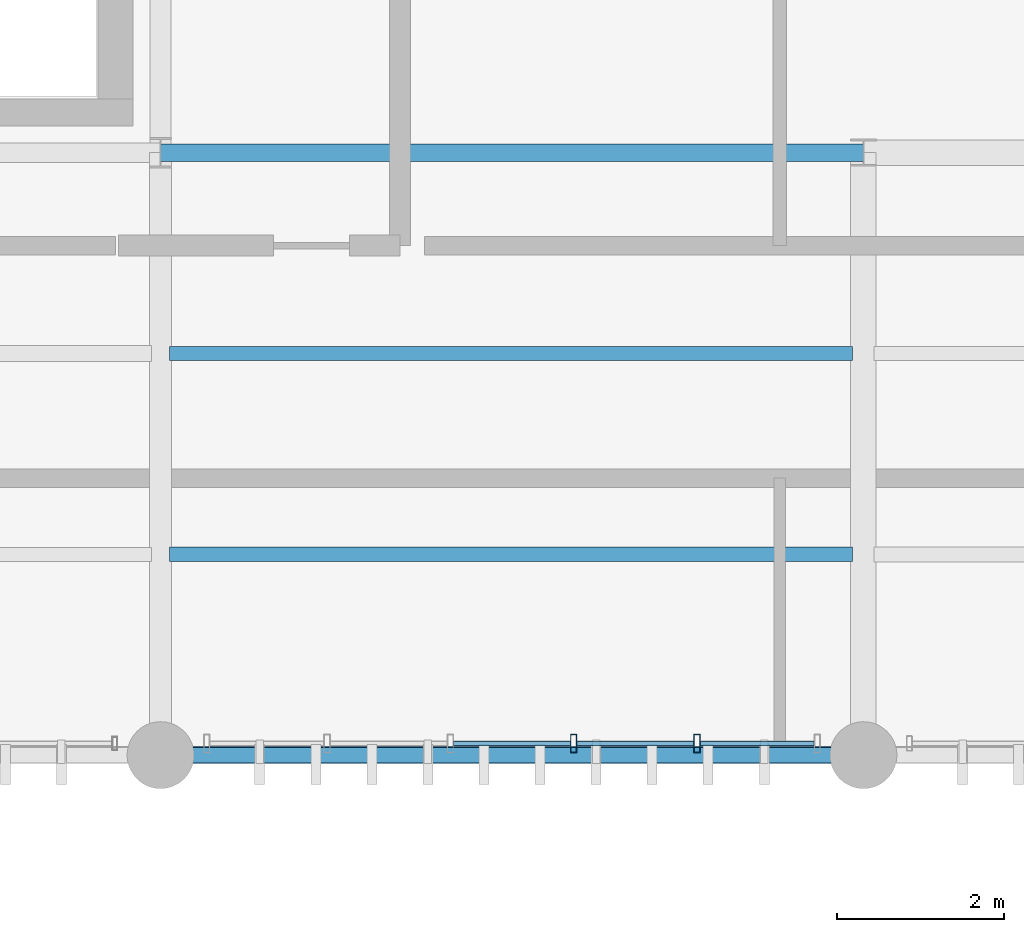
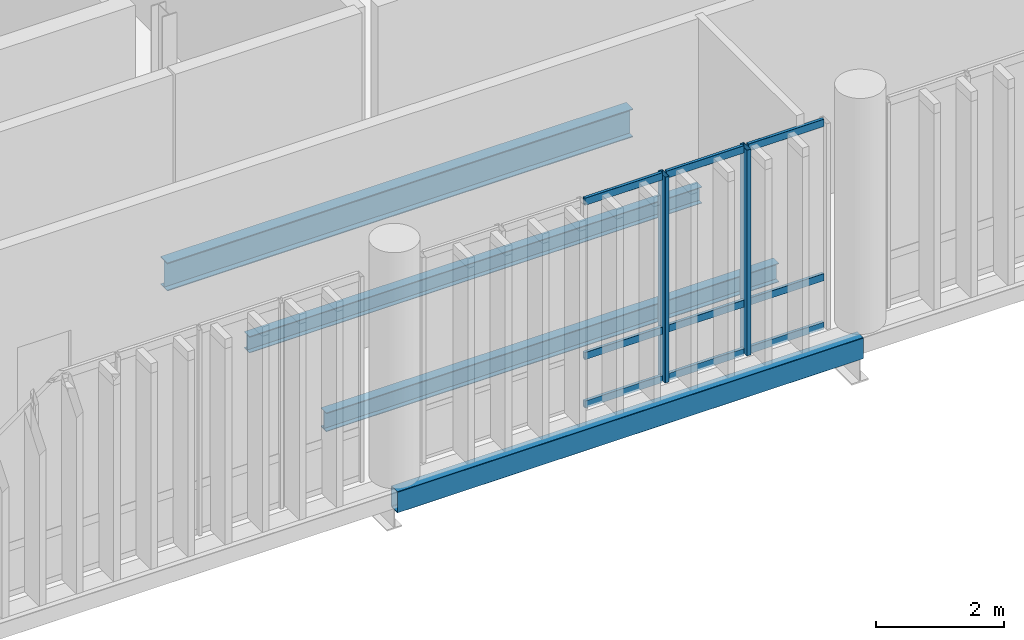
# One storey, part 21 of 68: 11 members, 4 beams, 1 element without a shape of its own.
"""IFC4 building model written with IfcOpenShell, lengths in metres."""

from ifc_helpers import new_model, si_unit, direction, frame, origin_with_axes, origin_2d_with_axis, place, context, subcontext, project, spatial, hollow_rectangle, i_section, extrude, material, material_profile, profile_set, type_object, element, aggregate, save


model = new_model("IFC4")

# Units and contexts
model_context = context("Model", 3, precision=1e-05, world=origin_with_axes(), true_north=direction((0.0, 1.0)))
body_context = subcontext(model_context, "Body", "Model", "MODEL_VIEW")
ifc_project = project(units=[si_unit("LENGTHUNIT", "METRE"), si_unit("AREAUNIT", "SQUARE_METRE"), si_unit("VOLUMEUNIT", "CUBIC_METRE"), si_unit("PLANEANGLEUNIT", "RADIAN"), si_unit("MASSUNIT", "GRAM", prefix="KILO"), si_unit("THERMODYNAMICTEMPERATUREUNIT", "KELVIN")], contexts=[model_context])

# Site, building, storey
site_placement = place(None, origin_with_axes())
site = spatial("IfcSite", under=ifc_project, at=site_placement, CompositionType="ELEMENT")
building_placement = place(site_placement, origin_with_axes())
building = spatial("IfcBuilding", under=site, at=building_placement, Name="Montbau Bow Law Courts", CompositionType="ELEMENT")
storey_placement = place(building_placement, frame((0.0, 0.0, 20.4), z_axis=(0.0, 0.0, 1.0), x_axis=(1.0, 0.0, 0.0)))
storey = spatial("IfcBuildingStorey", under=building, at=storey_placement, Name="L04", CompositionType="ELEMENT", Elevation=20.4)

# Beams
ifc_material_1 = material(Name="Steel CSA G40.21 Grade 350W (350 MPa)", Category="steel")
ifc_material_profile_1 = material_profile(ifc_material_1, i_section(OverallWidth=0.21, OverallDepth=0.537, WebThickness=0.0109, FlangeThickness=0.0174, at=origin_2d_with_axis()), Name="W530X101", Category="Main", Priority=0)
ifc_profile_set_1 = profile_set([ifc_material_profile_1], Name="Steel CSA G40.21 Grade 350W (350 MPa)")
beam_type_1 = type_object("IfcBeamType", Name="B-FLR-06", PredefinedType="BEAM", material=ifc_profile_set_1)
beam_1_placement = place(None, frame((63.6, 46.2, 19.852), z_axis=(1.0, 0.0, 0.0), x_axis=(0.0, 1.0, 0.0)))
element("IfcBeam", 1, at=beam_1_placement, inside=storey, type_object=beam_type_1, Name="BM-L04-S0923:bm2_0926", PredefinedType="BEAM", context=body_context, shape_type="SweptSolid", body=[
    extrude(i_section(OverallWidth=0.21, OverallDepth=0.537, WebThickness=0.0109, FlangeThickness=0.0174, at=origin_2d_with_axis()), origin_with_axes(), (0.0, 0.0, 1.0), 8.4),
])
ifc_material_profile_2 = material_profile(ifc_material_1, i_section(OverallWidth=0.172, OverallDepth=0.358, WebThickness=0.0079, FlangeThickness=0.0131, at=origin_2d_with_axis()), Name="W360X57", Category="Main", Priority=0)
ifc_profile_set_2 = profile_set([ifc_material_profile_2], Name="Steel CSA G40.21 Grade 350W (350 MPa)")
beam_type_2 = type_object("IfcBeamType", Name="B-JST-03", PredefinedType="JOIST", material=ifc_profile_set_2)
beam_2_placement = place(None, frame((63.709, 41.4, 19.941), z_axis=(1.0, 0.0, 0.0), x_axis=(0.0, 1.0, 0.0)))
element("IfcBeam", 2, at=beam_2_placement, inside=storey, type_object=beam_type_2, Name="JST-L04-S0482:jst2_0482", PredefinedType="JOIST", context=body_context, shape_type="SweptSolid", body=[
    extrude(i_section(OverallWidth=0.172, OverallDepth=0.358, WebThickness=0.0079, FlangeThickness=0.0131, at=origin_2d_with_axis()), origin_with_axes(), (0.0, 0.0, 1.0), 8.162),
])
ifc_material_profile_3 = material_profile(ifc_material_1, i_section(OverallWidth=0.166, OverallDepth=0.313, WebThickness=0.0066, FlangeThickness=0.0112, at=origin_2d_with_axis()), Name="W310X45", Category="Main", Priority=0)
ifc_profile_set_3 = profile_set([ifc_material_profile_3], Name="Steel CSA G40.21 Grade 350W (350 MPa)")
beam_type_3 = type_object("IfcBeamType", Name="B-JST-04", PredefinedType="JOIST", material=ifc_profile_set_3)
beam_3_placement = place(None, frame((63.709, 43.8, 19.963), z_axis=(1.0, 0.0, 0.0), x_axis=(0.0, 1.0, 0.0)))
element("IfcBeam", 3, at=beam_3_placement, inside=storey, type_object=beam_type_3, Name="JST-L04-S0483:jst2_0483", PredefinedType="JOIST", context=body_context, shape_type="SweptSolid", body=[
    extrude(i_section(OverallWidth=0.166, OverallDepth=0.313, WebThickness=0.0066, FlangeThickness=0.0112, at=origin_2d_with_axis()), origin_with_axes(), (0.0, 0.0, 1.0), 8.162),
])
ifc_material_2 = material(Name="Steel CSA G40.21 Grade 350WT (350 MPa)", Category="steel")
ifc_material_profile_4 = material_profile(ifc_material_2, hollow_rectangle(XDim=0.203, YDim=0.406, WallThickness=0.0127, InnerFilletRadius=0.0254, OuterFilletRadius=0.0127, at=origin_2d_with_axis()), Name="HSS406X203X13", Category="Main", Priority=0)
ifc_profile_set_4 = profile_set([ifc_material_profile_4], Name="Steel CSA G40.21 Grade 350WT (350 MPa)")
beam_type_4 = type_object("IfcBeamType", Name="B-SPN-01", PredefinedType="SPANDREL", material=ifc_profile_set_4)
beam_4_placement = place(None, frame((63.6, 39.0, 19.917), z_axis=(1.0, 0.0, 0.0), x_axis=(0.0, 1.0, 0.0)))
element("IfcBeam", 4, at=beam_4_placement, inside=storey, type_object=beam_type_4, Name="SPN-L04-S0917:bm2_0920", PredefinedType="SPANDREL", context=body_context, shape_type="SweptSolid", body=[
    extrude(hollow_rectangle(XDim=0.203, YDim=0.406, WallThickness=0.0127, InnerFilletRadius=0.0254, OuterFilletRadius=0.0127, at=origin_2d_with_axis()), origin_with_axes(), (0.0, 0.0, 1.0), 8.4),
])

# Curtain wall, members
ifc_material_3 = material(Name="Thermally Broken Extruded Aluminium AA 6063-T6", Category="aluminium")
curtain_wall_type = type_object("IfcCurtainWallType", Name="CW-CRM-01", PredefinedType="NOTDEFINED", material=ifc_material_3)
curtain_wall_placement = place(None, frame((64.115, 39.14, 20.4), z_axis=(0.0, 0.0, 1.0), x_axis=(1.0, 0.0, 0.0)))
curtain_wall = element("IfcCurtainWall", 5, at=curtain_wall_placement, inside=storey, type_object=curtain_wall_type, Name="CW-L04-195:cw_0195", PredefinedType="NOTDEFINED")
ifc_material_profile_5 = material_profile(ifc_material_3, hollow_rectangle(XDim=0.075, YDim=0.22, WallThickness=0.005, InnerFilletRadius=0.01, OuterFilletRadius=0.005, at=origin_2d_with_axis()), Name="CWM-220X75", Category="Main", Priority=0)
ifc_profile_set_5 = profile_set([ifc_material_profile_5], Name="Thermally Broken Extruded Aluminium AA 6063-T6")
member_type_1 = type_object("IfcMemberType", Name="M-MUL-01", PredefinedType="MULLION", material=ifc_profile_set_5)
member_1_placement = place(None, frame((68.537, 39.14, 20.4), z_axis=(0.0, 0.0, 1.0), x_axis=(1.0, 0.0, 0.0)))
member_1 = element("IfcMember", 6, at=member_1_placement, type_object=member_type_1, Name="CW-L04-195-M04:cw_0195_M04", PredefinedType="MULLION", context=body_context, shape_type="SweptSolid", body=[
    extrude(hollow_rectangle(XDim=0.075, YDim=0.22, WallThickness=0.005, InnerFilletRadius=0.01, OuterFilletRadius=0.005, at=origin_2d_with_axis()), origin_with_axes(), (0.0, 0.0, 1.0), 3.92),
])
member_2_placement = place(None, frame((70.011, 39.14, 20.4), z_axis=(0.0, 0.0, 1.0), x_axis=(1.0, 0.0, 0.0)))
member_2 = element("IfcMember", 7, at=member_2_placement, type_object=member_type_1, Name="CW-L04-195-M05:cw_0195_M05", PredefinedType="MULLION", context=body_context, shape_type="SweptSolid", body=[
    extrude(hollow_rectangle(XDim=0.075, YDim=0.22, WallThickness=0.005, InnerFilletRadius=0.01, OuterFilletRadius=0.005, at=origin_2d_with_axis()), origin_with_axes(), (0.0, 0.0, 1.0), 3.92),
])
ifc_material_profile_6 = material_profile(ifc_material_3, hollow_rectangle(XDim=0.055, YDim=0.14, WallThickness=0.004, InnerFilletRadius=0.008, OuterFilletRadius=0.004, at=origin_2d_with_axis()), Name="CWT-140X55", Category="Main", Priority=0)
ifc_profile_set_6 = profile_set([ifc_material_profile_6], Name="Thermally Broken Extruded Aluminium AA 6063-T6")
member_type_2 = type_object("IfcMemberType", Name="M-TRN-02", PredefinedType="USERDEFINED", material=ifc_profile_set_6)
member_3_placement = place(None, frame((67.102, 39.14, 20.427), z_axis=(1.0, 0.0, 0.0), x_axis=(0.0, 1.0, 0.0)))
member_3 = element("IfcMember", 8, at=member_3_placement, type_object=member_type_2, Name="CW-L04-195-T03-1:cw_0195_T03_1", ObjectType="TRANSOM", PredefinedType="USERDEFINED", context=body_context, shape_type="SweptSolid", body=[
    extrude(hollow_rectangle(XDim=0.055, YDim=0.14, WallThickness=0.004, InnerFilletRadius=0.008, OuterFilletRadius=0.004, at=origin_2d_with_axis()), origin_with_axes(), (0.0, 0.0, 1.0), 1.396),
])
member_4_placement = place(None, frame((67.102, 39.14, 21.35), z_axis=(1.0, 0.0, 0.0), x_axis=(0.0, 1.0, 0.0)))
member_4 = element("IfcMember", 9, at=member_4_placement, type_object=member_type_2, Name="CW-L04-195-T03-2:cw_0195_T03_2", ObjectType="TRANSOM", PredefinedType="USERDEFINED", context=body_context, shape_type="SweptSolid", body=[
    extrude(hollow_rectangle(XDim=0.055, YDim=0.14, WallThickness=0.004, InnerFilletRadius=0.008, OuterFilletRadius=0.004, at=origin_2d_with_axis()), origin_with_axes(), (0.0, 0.0, 1.0), 1.396),
])
member_5_placement = place(None, frame((67.102, 39.14, 24.293), z_axis=(1.0, 0.0, 0.0), x_axis=(0.0, 1.0, 0.0)))
member_5 = element("IfcMember", 10, at=member_5_placement, type_object=member_type_2, Name="CW-L04-195-T03-3:cw_0195_T03_3", ObjectType="TRANSOM", PredefinedType="USERDEFINED", context=body_context, shape_type="SweptSolid", body=[
    extrude(hollow_rectangle(XDim=0.055, YDim=0.14, WallThickness=0.004, InnerFilletRadius=0.008, OuterFilletRadius=0.004, at=origin_2d_with_axis()), origin_with_axes(), (0.0, 0.0, 1.0), 1.396),
])
member_6_placement = place(None, frame((68.576, 39.14, 20.427), z_axis=(1.0, 0.0, 0.0), x_axis=(0.0, 1.0, 0.0)))
member_6 = element("IfcMember", 11, at=member_6_placement, type_object=member_type_2, Name="CW-L04-195-T04-1:cw_0195_T04_1", ObjectType="TRANSOM", PredefinedType="USERDEFINED", context=body_context, shape_type="SweptSolid", body=[
    extrude(hollow_rectangle(XDim=0.055, YDim=0.14, WallThickness=0.004, InnerFilletRadius=0.008, OuterFilletRadius=0.004, at=origin_2d_with_axis()), origin_with_axes(), (0.0, 0.0, 1.0), 1.396),
])
member_7_placement = place(None, frame((68.576, 39.14, 21.35), z_axis=(1.0, 0.0, 0.0), x_axis=(0.0, 1.0, 0.0)))
member_7 = element("IfcMember", 12, at=member_7_placement, type_object=member_type_2, Name="CW-L04-195-T04-2:cw_0195_T04_2", ObjectType="TRANSOM", PredefinedType="USERDEFINED", context=body_context, shape_type="SweptSolid", body=[
    extrude(hollow_rectangle(XDim=0.055, YDim=0.14, WallThickness=0.004, InnerFilletRadius=0.008, OuterFilletRadius=0.004, at=origin_2d_with_axis()), origin_with_axes(), (0.0, 0.0, 1.0), 1.396),
])
member_8_placement = place(None, frame((68.576, 39.14, 24.293), z_axis=(1.0, 0.0, 0.0), x_axis=(0.0, 1.0, 0.0)))
member_8 = element("IfcMember", 13, at=member_8_placement, type_object=member_type_2, Name="CW-L04-195-T04-3:cw_0195_T04_3", ObjectType="TRANSOM", PredefinedType="USERDEFINED", context=body_context, shape_type="SweptSolid", body=[
    extrude(hollow_rectangle(XDim=0.055, YDim=0.14, WallThickness=0.004, InnerFilletRadius=0.008, OuterFilletRadius=0.004, at=origin_2d_with_axis()), origin_with_axes(), (0.0, 0.0, 1.0), 1.396),
])
member_9_placement = place(None, frame((70.05, 39.14, 20.427), z_axis=(1.0, 0.0, 0.0), x_axis=(0.0, 1.0, 0.0)))
member_9 = element("IfcMember", 14, at=member_9_placement, type_object=member_type_2, Name="CW-L04-195-T05-1:cw_0195_T05_1", ObjectType="TRANSOM", PredefinedType="USERDEFINED", context=body_context, shape_type="SweptSolid", body=[
    extrude(hollow_rectangle(XDim=0.055, YDim=0.14, WallThickness=0.004, InnerFilletRadius=0.008, OuterFilletRadius=0.004, at=origin_2d_with_axis()), origin_with_axes(), (0.0, 0.0, 1.0), 1.359),
])
member_10_placement = place(None, frame((70.05, 39.14, 21.35), z_axis=(1.0, 0.0, 0.0), x_axis=(0.0, 1.0, 0.0)))
member_10 = element("IfcMember", 15, at=member_10_placement, type_object=member_type_2, Name="CW-L04-195-T05-2:cw_0195_T05_2", ObjectType="TRANSOM", PredefinedType="USERDEFINED", context=body_context, shape_type="SweptSolid", body=[
    extrude(hollow_rectangle(XDim=0.055, YDim=0.14, WallThickness=0.004, InnerFilletRadius=0.008, OuterFilletRadius=0.004, at=origin_2d_with_axis()), origin_with_axes(), (0.0, 0.0, 1.0), 1.359),
])
member_11_placement = place(None, frame((70.05, 39.14, 24.293), z_axis=(1.0, 0.0, 0.0), x_axis=(0.0, 1.0, 0.0)))
member_11 = element("IfcMember", 16, at=member_11_placement, type_object=member_type_2, Name="CW-L04-195-T05-3:cw_0195_T05_3", ObjectType="TRANSOM", PredefinedType="USERDEFINED", context=body_context, shape_type="SweptSolid", body=[
    extrude(hollow_rectangle(XDim=0.055, YDim=0.14, WallThickness=0.004, InnerFilletRadius=0.008, OuterFilletRadius=0.004, at=origin_2d_with_axis()), origin_with_axes(), (0.0, 0.0, 1.0), 1.359),
])
aggregate(curtain_wall, [member_1, member_2, member_3, member_4, member_5, member_6, member_7, member_8, member_9, member_10, member_11])

save(model, "model.ifc")
